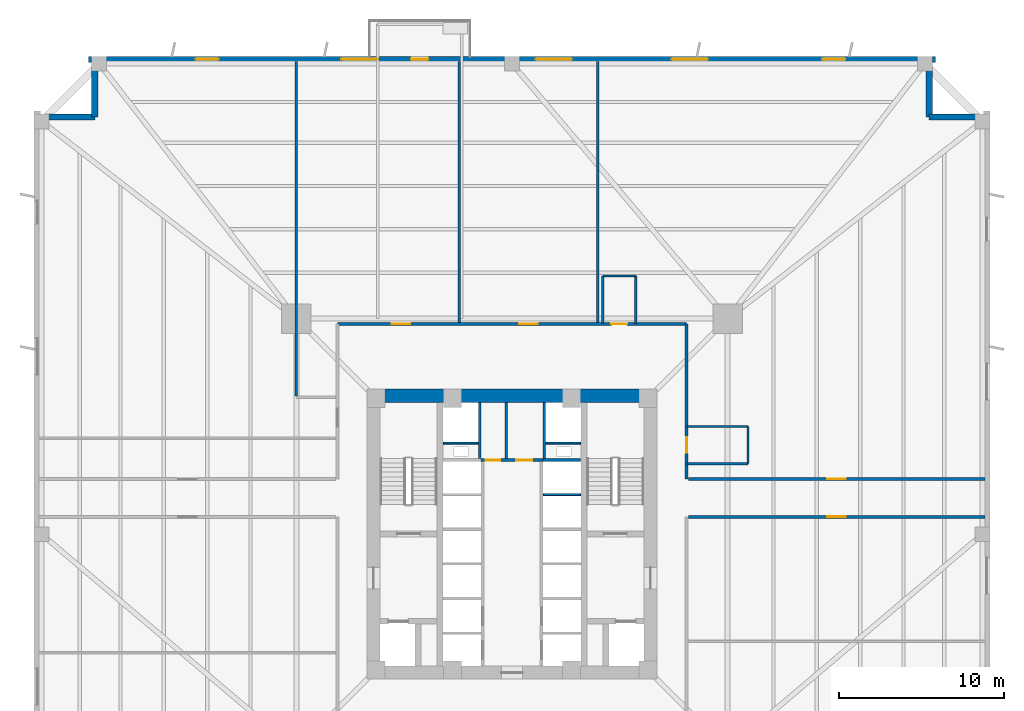
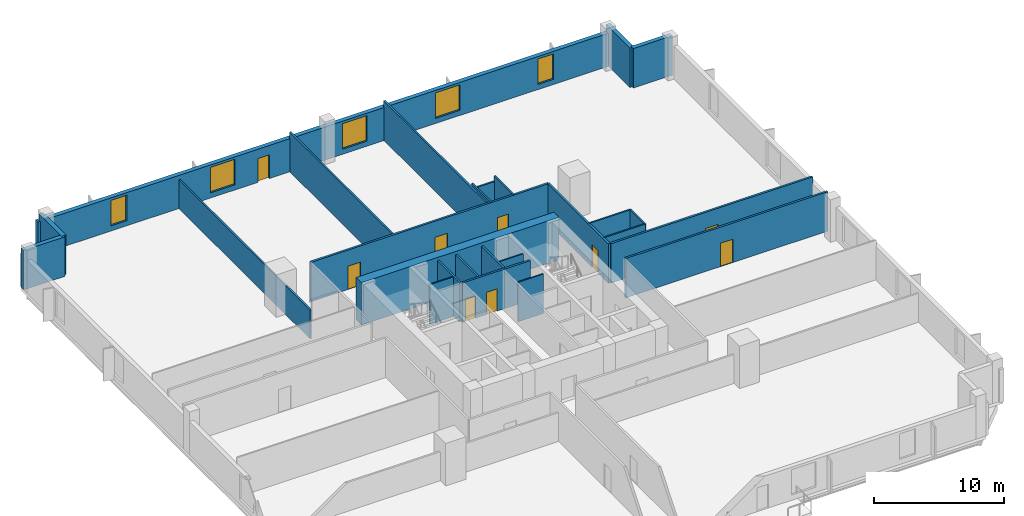
# One storey, part 4 of 8: 27 walls, 9 doors, 5 windows, 14 openings.
"""IFC4 building model written with IfcOpenShell, lengths in metres."""

from ifc_helpers import new_model, si_unit, direction, frame, frame_2d, origin, place, context, subcontext, project, spatial, rectangle, extrude, source, transform, mapped, material, layer, layer_set, type_object, element, fill, save


model = new_model("IFC4")

# Units and contexts
model_context = context("Model", 3, precision=1e-05, world=origin(), true_north=direction((0.0, 1.0)))
body_context = subcontext(model_context, "Body", "Model", "MODEL_VIEW")
ifc_project = project(units=[si_unit("LENGTHUNIT", "METRE"), si_unit("AREAUNIT", "SQUARE_METRE"), si_unit("VOLUMEUNIT", "CUBIC_METRE"), si_unit("PLANEANGLEUNIT", "RADIAN"), si_unit("MASSUNIT", "GRAM", prefix="KILO"), si_unit("THERMODYNAMICTEMPERATUREUNIT", "KELVIN")], contexts=[model_context])

# Site, building, storey
site_placement = place(None, origin())
site = spatial("IfcSite", under=ifc_project, at=site_placement, CompositionType="ELEMENT")
building_placement = place(site_placement, origin())
building = spatial("IfcBuilding", under=site, at=building_placement, Name="Kosmvard Interchange Tower", CompositionType="ELEMENT")
storey_placement = place(building_placement, frame((0.0, 0.0, 62.0)))
storey = spatial("IfcBuildingStorey", under=building, at=storey_placement, Name="L14", CompositionType="ELEMENT", Elevation=62.0)

# Walls
ifc_material_1 = material(Name="Acoustic gypsum partition system")
ifc_layer_1 = layer(ifc_material_1, 0.14990234375, Name="Acoustic gypsum partition system")
ifc_layer_set_1 = layer_set([ifc_layer_1], Name="Acoustic gypsum partition system")
wall_type_1 = type_object("IfcWallType", Name="Acoustic Suite & Meeting Partition 150", PredefinedType="PARTITIONING", material=ifc_layer_set_1)
wall_1_placement = place(storey_placement, frame((-13.0810546875, 8.375, 0.0), z_axis=(0.0, 0.0, 1.0), x_axis=(0.0, 1.0, 0.0)))
element("IfcWall", 1, at=wall_1_placement, inside=storey, type_object=wall_type_1, Name="L14 Room Partition 02.1", PredefinedType="PARTITIONING", context=body_context, shape_type="SweptSolid", body=[
    extrude(rectangle(XDim=20.31005859375, YDim=0.14990234375, at=frame_2d((10.155029296875, 0.0))), origin(), (0.0, 0.0, 1.0), 2.7119140625),
])
for number, where, z_axis, x_axis, name in (
    (2, (-3.199951171875, 12.844970703125, 0.0), (0.0, 0.0, 1.0), (0.0, 1.0, 0.0), "L14 Room Partition 03.1"),
    (3, (5.199951171875, 12.844970703125, 0.0), (0.0, 0.0, 1.0), (0.0, 1.0, 0.0), "L14 Room Partition 04.1"),
):
    element("IfcWall", number, at=place(storey_placement, frame(where, z_axis=z_axis, x_axis=x_axis)), inside=storey, type_object=wall_type_1, Name=name, PredefinedType="PARTITIONING", context=body_context, shape_type="SweptSolid", body=[
        extrude(rectangle(XDim=15.840087890625, YDim=0.14990234375, at=frame_2d((7.919921875, 0.0))), origin(), (0.0, 0.0, 1.0), 3.719970703125),
    ])
ifc_material_2 = material(Name="Fire-rated gypsum partition system")
ifc_layer_2 = layer(ifc_material_2, 0.159912109375, Name="Fire-rated gypsum partition system")
ifc_layer_set_2 = layer_set([ifc_layer_2], Name="Fire-rated gypsum partition system")
wall_type_2 = type_object("IfcWallType", Name="Core Compartment & Shuttle Lobby Partition 160", PredefinedType="PARTITIONING", material=ifc_layer_set_2)
for number, where, z_axis, x_axis, name in (
    (4, (-1.9599609375, 4.580078125, 0.0), (0.0, 0.0, 1.0), (0.0, 1.0, 0.0), "L14 North Core West Wall"),
    (5, (1.9599609375, 4.580078125, 0.0), (0.0, 0.0, 1.0), (0.0, 1.0, 0.0), "L14 North Core East Wall"),
):
    element("IfcWall", number, at=place(storey_placement, frame(where, z_axis=z_axis, x_axis=x_axis)), inside=storey, type_object=wall_type_2, Name=name, PredefinedType="PARTITIONING", context=body_context, shape_type="SweptSolid", body=[
        extrude(rectangle(XDim=3.39990234375, YDim=0.159912109375, at=frame_2d((1.699951171875, 0.0))), origin(), (0.0, 0.0, 1.0), 3.719970703125),
    ])
ifc_material_3 = material(Name="Concrete blockwork masonry", Category="masonry")
ifc_layer_3 = layer(ifc_material_3, 0.159912109375, Name="Concrete blockwork masonry")
ifc_layer_set_3 = layer_set([ifc_layer_3], Name="Concrete blockwork masonry")
wall_type_3 = type_object("IfcWallType", Name="Core Enclosure Split Wall 160", PredefinedType="PARTITIONING", material=ifc_layer_set_3)
wall_2_placement = place(storey_placement, frame((-0.35009765625, 4.60009765625, 0.0), z_axis=(0.0, 0.0, 1.0), x_axis=(0.0, 1.0, 0.0)))
element("IfcWall", 6, at=wall_2_placement, inside=storey, type_object=wall_type_3, Name="L14 Core K2 Split Wall", PredefinedType="PARTITIONING", context=body_context, shape_type="SweptSolid", body=[
    extrude(rectangle(XDim=3.3798828125, YDim=0.159912109375, at=frame_2d((1.68994140625, 0.0))), origin(), (0.0, 0.0, 1.0), 3.719970703125),
])

# Wall, openings, doors
ifc_layer_4 = layer(ifc_material_2, 0.179931640625, Name="Fire-rated gypsum partition system")
ifc_layer_set_4 = layer_set([ifc_layer_4], Name="Fire-rated gypsum partition system")
wall_type_4 = type_object("IfcWallType", Name="Corridor & Hotel Compartment Partition 180", PredefinedType="PARTITIONING", material=ifc_layer_set_4)
wall_3_placement = place(storey_placement, frame((-1.8798828125, 4.489990234375, 0.0), z_axis=(0.0, 0.0, 1.0), x_axis=(1.0, 0.0, 0.0)))
wall_3 = element("IfcWall", 7, at=wall_3_placement, inside=storey, type_object=wall_type_4, Name="L14 Lift Lobby North Partition", PredefinedType="PARTITIONING", context=body_context, shape_type="SweptSolid", body=[
    extrude(rectangle(XDim=3.759765625, YDim=0.179931640625, at=frame_2d((1.8798828125, 0.0))), origin(), (0.0, 0.0, 1.0), 3.719970703125),
])
opening_1_placement = place(wall_3_placement, frame((0.280029296875, 0.0, 0.0)))
opening_1 = element("IfcOpeningElement", 8, at=opening_1_placement, cuts=wall_3, Name="Opening L14-KD1", PredefinedType="OPENING", context=body_context, shape_type="SweptSolid", body=[
    extrude(rectangle(XDim=0.8798828125, YDim=2.10009765625, at=frame_2d((0.43994140625, 1.050048828125))), frame((0.0, 0.10009765625, 0.0), z_axis=(0.0, -1.0, 0.0), x_axis=(1.0, 0.0, 0.0)), (0.0, 0.0, 1.0), 0.199951171875),
])
opening_2_placement = place(wall_3_placement, frame((2.14990234375, 0.0, 0.0)))
opening_2 = element("IfcOpeningElement", 9, at=opening_2_placement, cuts=wall_3, Name="Opening L14-KD2", PredefinedType="OPENING", context=body_context, shape_type="SweptSolid", body=[
    extrude(rectangle(XDim=0.949951171875, YDim=2.10009765625, at=frame_2d((0.47509765625, 1.050048828125))), frame((0.0, 0.10009765625, 0.0), z_axis=(0.0, -1.0, 0.0), x_axis=(1.0, 0.0, 0.0)), (0.0, 0.0, 1.0), 0.199951171875),
])
ifc_material_4 = material(Name="Painted fire-rated timber leaf", Category="wood")
door_type_1 = type_object("IfcDoorType", Name="Core Service Fire Door 950x2100 EI30", OperationType="NOTDEFINED", PredefinedType="DOOR", material=ifc_material_4)
shared_shape_1 = source(origin(), body_context, "Body", "SweptSolid", [
    extrude(rectangle(XDim=0.949951171875, YDim=2.10009765625, at=frame_2d((0.47509765625, 1.050048828125))), frame((0.0, 0.02490234375, 0.0), z_axis=(0.0, -1.0, 0.0), x_axis=(1.0, 0.0, 0.0)), (0.0, 0.0, 1.0), 0.050048828125),
])
door_1_placement = place(opening_2_placement, origin())
door_1 = element("IfcDoor", 10, at=door_1_placement, inside=storey, type_object=door_type_1, Name="L14 Core Tea Pantry Door", OperationType="SINGLE_SWING_RIGHT", OverallHeight=2.10009765625, OverallWidth=0.949951171875, PredefinedType="DOOR", context=body_context, shape_type="MappedRepresentation", body=[
    mapped(shared_shape_1, transform((0.0, 0.0, 0.0), scale=1.0)),
])
fill(opening_2, door_1)
door_type_2 = type_object("IfcDoorType", Name="Core Cupboard Fire Door 880x2100 EI30", OperationType="NOTDEFINED", PredefinedType="DOOR", material=ifc_material_4)
shared_shape_2 = source(origin(), body_context, "Body", "SweptSolid", [
    extrude(rectangle(XDim=0.8798828125, YDim=2.10009765625, at=frame_2d((0.43994140625, 1.050048828125))), frame((0.0, 0.02490234375, 0.0), z_axis=(0.0, -1.0, 0.0), x_axis=(1.0, 0.0, 0.0)), (0.0, 0.0, 1.0), 0.050048828125),
])
door_2_placement = place(opening_1_placement, origin())
door_2 = element("IfcDoor", 11, at=door_2_placement, inside=storey, type_object=door_type_2, Name="L14 Core Cleaner Cupboard Door", OperationType="SINGLE_SWING_LEFT", OverallHeight=2.10009765625, OverallWidth=0.8798828125, PredefinedType="DOOR", context=body_context, shape_type="MappedRepresentation", body=[
    mapped(shared_shape_2, transform((0.0, 0.0, 0.0), scale=1.0)),
])
fill(opening_1, door_2)

wall_4_placement = place(storey_placement, frame((-10.60009765625, 12.75, 0.0), z_axis=(0.0, 0.0, 1.0), x_axis=(1.0, 0.0, 0.0)))
wall_4 = element("IfcWall", 12, at=wall_4_placement, inside=storey, type_object=wall_type_4, Name="L14 Corridor Wall CN", PredefinedType="PARTITIONING", context=body_context, shape_type="SweptSolid", body=[
    extrude(rectangle(XDim=21.2001953125, YDim=0.179931640625, at=frame_2d((10.60009765625, 0.0))), origin(), (0.0, 0.0, 1.0), 3.719970703125),
])
opening_3_placement = place(wall_4_placement, frame((16.635986328125, 0.0, 0.0)))
opening_3 = element("IfcOpeningElement", 13, at=opening_3_placement, cuts=wall_4, Name="Opening L14-D01", PredefinedType="OPENING", context=body_context, shape_type="SweptSolid", body=[
    extrude(rectangle(XDim=0.949951171875, YDim=2.10009765625, at=frame_2d((0.47509765625, 1.050048828125))), frame((0.0, 0.10009765625, 0.0), z_axis=(0.0, -1.0, 0.0), x_axis=(1.0, 0.0, 0.0)), (0.0, 0.0, 1.0), 0.199951171875),
])
opening_4_placement = place(wall_4_placement, frame((3.314453125, 0.0, 0.0)))
opening_4 = element("IfcOpeningElement", 14, at=opening_4_placement, cuts=wall_4, Name="Opening L14-D05", PredefinedType="OPENING", context=body_context, shape_type="SweptSolid", body=[
    extrude(rectangle(XDim=1.10009765625, YDim=2.199951171875, at=frame_2d((0.550048828125, 1.10009765625))), frame((0.0, 0.10009765625, 0.0), z_axis=(0.0, -1.0, 0.0), x_axis=(1.0, 0.0, 0.0)), (0.0, 0.0, 1.0), 0.199951171875),
])
opening_5_placement = place(wall_4_placement, frame((11.050048828125, 0.0, 0.0)))
opening_5 = element("IfcOpeningElement", 15, at=opening_5_placement, cuts=wall_4, Name="Opening L14-D06", PredefinedType="OPENING", context=body_context, shape_type="SweptSolid", body=[
    extrude(rectangle(XDim=1.10009765625, YDim=2.199951171875, at=frame_2d((0.550048828125, 1.10009765625))), frame((0.0, 0.10009765625, 0.0), z_axis=(0.0, -1.0, 0.0), x_axis=(1.0, 0.0, 0.0)), (0.0, 0.0, 1.0), 0.199951171875),
])
ifc_material_5 = material(Name="Laminated moisture-resistant timber", Category="wood")
door_type_3 = type_object("IfcDoorType", Name="Accessible Washroom Door 950x2100", OperationType="NOTDEFINED", PredefinedType="DOOR", material=ifc_material_5)
door_3_placement = place(opening_3_placement, origin())
door_3 = element("IfcDoor", 16, at=door_3_placement, inside=storey, type_object=door_type_3, Name="L14 Accessible Toilet Door", OperationType="SINGLE_SWING_LEFT", OverallHeight=2.10009765625, OverallWidth=0.949951171875, PredefinedType="DOOR", context=body_context, shape_type="MappedRepresentation", body=[
    mapped(shared_shape_1, transform((0.0, 0.0, 0.0), scale=1.0)),
])
fill(opening_3, door_3)
ifc_material_6 = material(Name="Engineered oak fire-rated timber", Category="wood")
door_type_4 = type_object("IfcDoorType", Name="Office Suite Entrance Door 1100x2200 FD30S", OperationType="NOTDEFINED", PredefinedType="DOOR", material=ifc_material_6)
shared_shape_3 = source(origin(), body_context, "Body", "SweptSolid", [
    extrude(rectangle(XDim=1.10009765625, YDim=2.199951171875, at=frame_2d((0.550048828125, 1.10009765625))), frame((0.0, 0.02490234375, 0.0), z_axis=(0.0, -1.0, 0.0), x_axis=(1.0, 0.0, 0.0)), (0.0, 0.0, 1.0), 0.050048828125),
])
door_4_placement = place(opening_4_placement, origin())
door_4 = element("IfcDoor", 17, at=door_4_placement, inside=storey, type_object=door_type_4, Name="L14 Executive Reading Study Door", OperationType="SINGLE_SWING_LEFT", OverallHeight=2.199951171875, OverallWidth=1.10009765625, PredefinedType="DOOR", context=body_context, shape_type="MappedRepresentation", body=[
    mapped(shared_shape_3, transform((0.0, 0.0, 0.0), scale=1.0)),
])
fill(opening_4, door_4)
door_5_placement = place(opening_5_placement, origin())
door_5 = element("IfcDoor", 18, at=door_5_placement, inside=storey, type_object=door_type_4, Name="L14 Tenant Club Lounge Door", OperationType="SINGLE_SWING_RIGHT", OverallHeight=2.199951171875, OverallWidth=1.10009765625, PredefinedType="DOOR", context=body_context, shape_type="MappedRepresentation", body=[
    mapped(shared_shape_3, transform((0.0, 0.0, 0.0), scale=1.0)),
])
fill(opening_5, door_5)

# Wall, opening, door
wall_5_placement = place(storey_placement, frame((10.60009765625, 3.35009765625, 0.0), z_axis=(0.0, 0.0, 1.0), x_axis=(0.0, 1.0, 0.0)))
wall_5 = element("IfcWall", 19, at=wall_5_placement, inside=storey, type_object=wall_type_4, Name="L14 Corridor Wall CEN", PredefinedType="PARTITIONING", context=body_context, shape_type="SweptSolid", body=[
    extrude(rectangle(XDim=9.39990234375, YDim=0.179931640625, at=frame_2d((4.699951171875, 0.0))), origin(), (0.0, 0.0, 1.0), 3.719970703125),
])
opening_6_placement = place(wall_5_placement, frame((1.580078125, 0.0, 0.0)))
opening_6 = element("IfcOpeningElement", 20, at=opening_6_placement, cuts=wall_5, Name="Opening L14-D02", PredefinedType="OPENING", context=body_context, shape_type="SweptSolid", body=[
    extrude(rectangle(XDim=0.949951171875, YDim=2.10009765625, at=frame_2d((0.47509765625, 1.050048828125))), frame((0.0, 0.10009765625, 0.0), z_axis=(0.0, -1.0, 0.0), x_axis=(1.0, 0.0, 0.0)), (0.0, 0.0, 1.0), 0.199951171875),
])
door_6_placement = place(opening_6_placement, frame((0.949951171875, 0.0, 0.0), z_axis=(0.0, 0.0, 1.0), x_axis=(-1.0, 0.0, 0.0)))
door_6 = element("IfcDoor", 21, at=door_6_placement, inside=storey, type_object=door_type_3, Name="L14 Public Floor Washroom Door", OperationType="SINGLE_SWING_RIGHT", OverallHeight=2.10009765625, OverallWidth=0.949951171875, PredefinedType="DOOR", context=body_context, shape_type="MappedRepresentation", body=[
    mapped(shared_shape_1, transform((0.0, 0.0, 0.0), scale=1.0)),
])
fill(opening_6, door_6)

wall_6_placement = place(storey_placement, frame((10.699951171875, 1.050048828125, 0.0), z_axis=(0.0, 0.0, 1.0), x_axis=(1.0, 0.0, 0.0)))
wall_6 = element("IfcWall", 22, at=wall_6_placement, inside=storey, type_object=wall_type_4, Name="L14 Corridor Wall SES", PredefinedType="PARTITIONING", context=body_context, shape_type="SweptSolid", body=[
    extrude(rectangle(XDim=17.985107421875, YDim=0.179931640625, at=frame_2d((8.99267578125, 0.0))), origin(), (0.0, 0.0, 1.0), 3.719970703125),
])
opening_7_placement = place(wall_6_placement, frame((8.4423828125, 0.0, 0.0)))
opening_7 = element("IfcOpeningElement", 23, at=opening_7_placement, cuts=wall_6, Name="Opening L14-D08", PredefinedType="OPENING", context=body_context, shape_type="SweptSolid", body=[
    extrude(rectangle(XDim=1.10009765625, YDim=2.199951171875, at=frame_2d((0.550048828125, 1.10009765625))), frame((0.0, 0.10009765625, 0.0), z_axis=(0.0, -1.0, 0.0), x_axis=(1.0, 0.0, 0.0)), (0.0, 0.0, 1.0), 0.199951171875),
])
door_7_placement = place(opening_7_placement, frame((1.10009765625, 0.0, 0.0), z_axis=(0.0, 0.0, 1.0), x_axis=(-1.0, 0.0, 0.0)))
door_7 = element("IfcDoor", 24, at=door_7_placement, inside=storey, type_object=door_type_4, Name="L14 East Partner Office 1 Door", OperationType="SINGLE_SWING_RIGHT", OverallHeight=2.199951171875, OverallWidth=1.10009765625, PredefinedType="DOOR", context=body_context, shape_type="MappedRepresentation", body=[
    mapped(shared_shape_3, transform((0.0, 0.0, 0.0), scale=1.0)),
])
fill(opening_7, door_7)

wall_7_placement = place(storey_placement, frame((10.699951171875, 3.35009765625, 0.0), z_axis=(0.0, 0.0, 1.0), x_axis=(1.0, 0.0, 0.0)))
wall_7 = element("IfcWall", 25, at=wall_7_placement, inside=storey, type_object=wall_type_4, Name="L14 Corridor Wall SEN", PredefinedType="PARTITIONING", context=body_context, shape_type="SweptSolid", body=[
    extrude(rectangle(XDim=17.985107421875, YDim=0.179931640625, at=frame_2d((8.99267578125, 0.0))), origin(), (0.0, 0.0, 1.0), 3.719970703125),
])
opening_8_placement = place(wall_7_placement, frame((8.4423828125, 0.0, 0.0)))
opening_8 = element("IfcOpeningElement", 26, at=opening_8_placement, cuts=wall_7, Name="Opening L14-D07", PredefinedType="OPENING", context=body_context, shape_type="SweptSolid", body=[
    extrude(rectangle(XDim=1.10009765625, YDim=2.199951171875, at=frame_2d((0.550048828125, 1.10009765625))), frame((0.0, 0.10009765625, 0.0), z_axis=(0.0, -1.0, 0.0), x_axis=(1.0, 0.0, 0.0)), (0.0, 0.0, 1.0), 0.199951171875),
])
door_8_placement = place(opening_8_placement, origin())
door_8 = element("IfcDoor", 27, at=door_8_placement, inside=storey, type_object=door_type_4, Name="L14 North-East Open Workplace Door", OperationType="SINGLE_SWING_LEFT", OverallHeight=2.199951171875, OverallWidth=1.10009765625, PredefinedType="DOOR", context=body_context, shape_type="MappedRepresentation", body=[
    mapped(shared_shape_3, transform((0.0, 0.0, 0.0), scale=1.0)),
])
fill(opening_8, door_8)

# Walls
ifc_material_7 = material(Name="Concrete C80/95", Category="concrete")
ifc_layer_5 = layer(ifc_material_7, 0.800048828125, Name="Concrete C80/95")
ifc_layer_set_5 = layer_set([ifc_layer_5], Name="Concrete C80/95")
wall_type_5 = type_object("IfcWallType", Name="Lower Core Shear Wall 800 C80/95", PredefinedType="SHEAR", material=ifc_layer_set_5)
wall_8_placement = place(storey_placement, frame((-8.800048828125, 8.39990234375, 0.0), z_axis=(0.0, 0.0, 1.0), x_axis=(1.0, 0.0, 0.0)))
element("IfcWall", 28, at=wall_8_placement, inside=storey, type_object=wall_type_5, Name="L14 Core Shear Wall CW-N", PredefinedType="SHEAR", context=body_context, shape_type="SweptSolid", body=[
    extrude(rectangle(XDim=17.60009765625, YDim=0.800048828125, at=frame_2d((8.800048828125, 0.0))), origin(), (0.0, 0.0, 1.0), 4.0),
])
ifc_material_8 = material(Name="Precast concrete C45/55", Category="concrete")
ifc_layer_6 = layer(ifc_material_8, 0.3798828125, Name="Precast concrete C45/55")
ifc_layer_set_6 = layer_set([ifc_layer_6], Name="Precast concrete C45/55")
wall_type_6 = type_object("IfcWallType", Name="Lower Tower Precast Pier Wall 380 C45/55", PredefinedType="STANDARD", material=ifc_layer_set_6)
wall_9_placement = place(storey_placement, frame((28.81005859375, 25.31005859375, 0.0), z_axis=(0.0, 0.0, 1.0), x_axis=(-1.0, 0.0, 0.0)))
element("IfcWall", 29, at=wall_9_placement, inside=storey, type_object=wall_type_6, Name="L14 Precast Facade Wall N-NE1", PredefinedType="STANDARD", context=body_context, shape_type="SweptSolid", body=[
    extrude(rectangle(XDim=3.5, YDim=0.3798828125, at=frame_2d((1.75, 0.0))), origin(), (0.0, 0.0, 1.0), 3.719970703125),
])
wall_10_placement = place(storey_placement, frame((25.31005859375, 25.31005859375, 0.0), z_axis=(0.0, 0.0, 1.0), x_axis=(0.0, 1.0, 0.0)))
element("IfcWall", 30, at=wall_10_placement, inside=storey, type_object=wall_type_6, Name="L14 Precast Facade Wall N-NE2", PredefinedType="STANDARD", context=body_context, shape_type="SweptSolid", body=[
    extrude(rectangle(XDim=3.68994140625, YDim=0.3798828125, at=frame_2d((1.844970703125, 0.0))), origin(), (0.0, 0.0, 1.0), 3.719970703125),
])

# Wall, openings, door, windows
wall_11_placement = place(storey_placement, frame((25.68994140625, 28.81005859375, 0.0), z_axis=(0.0, 0.0, 1.0), x_axis=(-1.0, 0.0, 0.0)))
wall_11 = element("IfcWall", 31, at=wall_11_placement, inside=storey, type_object=wall_type_6, Name="L14 Precast Facade Wall F-N", PredefinedType="STANDARD", context=body_context, shape_type="SweptSolid", body=[
    extrude(rectangle(XDim=51.3798828125, YDim=0.3798828125, at=frame_2d((25.68994140625, 0.0))), origin(), (0.0, 0.0, 1.0), 3.1201171875),
])
opening_9_placement = place(wall_11_placement, frame((30.764892578125, 0.0, 0.0)))
opening_9 = element("IfcOpeningElement", 32, at=opening_9_placement, cuts=wall_11, Name="Opening L14-BDE", PredefinedType="OPENING", context=body_context, shape_type="SweptSolid", body=[
    extrude(rectangle(XDim=1.050048828125, YDim=2.25, at=frame_2d((0.52490234375, 1.125))), frame((0.0, 0.199951171875, 0.0), z_axis=(0.0, -1.0, 0.0), x_axis=(1.0, 0.0, 0.0)), (0.0, 0.0, 1.0), 0.39990234375),
])
opening_10_placement = place(wall_11_placement, frame((5.465576171875, 0.0, 0.489990234375)))
opening_10 = element("IfcOpeningElement", 33, at=opening_10_placement, cuts=wall_11, Name="Opening L14-W10", PredefinedType="OPENING", context=body_context, shape_type="SweptSolid", body=[
    extrude(rectangle(XDim=1.39990234375, YDim=2.39990234375, at=frame_2d((0.699951171875, 1.199951171875))), frame((0.0, 0.199951171875, 0.0), z_axis=(0.0, -1.0, 0.0), x_axis=(1.0, 0.0, 0.0)), (0.0, 0.0, 1.0), 0.39990234375),
])
opening_11_placement = place(wall_11_placement, frame((13.80029296875, 0.0, 0.489990234375)))
opening_11 = element("IfcOpeningElement", 34, at=opening_11_placement, cuts=wall_11, Name="Opening L14-W11", PredefinedType="OPENING", context=body_context, shape_type="SweptSolid", body=[
    extrude(rectangle(XDim=2.199951171875, YDim=2.39990234375, at=frame_2d((1.10009765625, 1.199951171875))), frame((0.0, 0.199951171875, 0.0), z_axis=(0.0, -1.0, 0.0), x_axis=(1.0, 0.0, 0.0)), (0.0, 0.0, 1.0), 0.39990234375),
])
opening_12_placement = place(wall_11_placement, frame((22.0625, 0.0, 0.489990234375)))
opening_12 = element("IfcOpeningElement", 35, at=opening_12_placement, cuts=wall_11, Name="Opening L14-W12", PredefinedType="OPENING", context=body_context, shape_type="SweptSolid", body=[
    extrude(rectangle(XDim=2.199951171875, YDim=2.39990234375, at=frame_2d((1.10009765625, 1.199951171875))), frame((0.0, 0.199951171875, 0.0), z_axis=(0.0, -1.0, 0.0), x_axis=(1.0, 0.0, 0.0)), (0.0, 0.0, 1.0), 0.39990234375),
])
opening_13_placement = place(wall_11_placement, frame((33.83837890625, 0.0, 0.489990234375)))
opening_13 = element("IfcOpeningElement", 36, at=opening_13_placement, cuts=wall_11, Name="Opening L14-W13", PredefinedType="OPENING", context=body_context, shape_type="SweptSolid", body=[
    extrude(rectangle(XDim=2.199951171875, YDim=2.39990234375, at=frame_2d((1.10009765625, 1.199951171875))), frame((0.0, 0.199951171875, 0.0), z_axis=(0.0, -1.0, 0.0), x_axis=(1.0, 0.0, 0.0)), (0.0, 0.0, 1.0), 0.39990234375),
])
opening_14_placement = place(wall_11_placement, frame((43.48681640625, 0.0, 0.489990234375)))
opening_14 = element("IfcOpeningElement", 37, at=opening_14_placement, cuts=wall_11, Name="Opening L14-W14", PredefinedType="OPENING", context=body_context, shape_type="SweptSolid", body=[
    extrude(rectangle(XDim=1.39990234375, YDim=2.39990234375, at=frame_2d((0.699951171875, 1.199951171875))), frame((0.0, 0.199951171875, 0.0), z_axis=(0.0, -1.0, 0.0), x_axis=(1.0, 0.0, 0.0)), (0.0, 0.0, 1.0), 0.39990234375),
])
ifc_material_9 = material(Name="Anodised aluminium and safety glass", Category="aluminium")
door_type_5 = type_object("IfcDoorType", Name="Tree-Balcony Glazed Door 1050x2250", OperationType="NOTDEFINED", PredefinedType="DOOR", material=ifc_material_9)
shared_shape_4 = source(origin(), body_context, "Body", "SweptSolid", [
    extrude(rectangle(XDim=1.050048828125, YDim=2.25, at=frame_2d((0.52490234375, 1.125))), frame((0.0, 0.02490234375, 0.0), z_axis=(0.0, -1.0, 0.0), x_axis=(1.0, 0.0, 0.0)), (0.0, 0.0, 1.0), 0.050048828125),
])
door_9_placement = place(opening_9_placement, origin())
door_9 = element("IfcDoor", 38, at=door_9_placement, inside=storey, type_object=door_type_5, Name="L14 Tree-Balcony Door BAL-L14-NE", OperationType="SINGLE_SWING_LEFT", OverallHeight=2.25, OverallWidth=1.050048828125, PredefinedType="DOOR", context=body_context, shape_type="MappedRepresentation", body=[
    mapped(shared_shape_4, transform((0.0, 0.0, 0.0), scale=1.0)),
])
fill(opening_9, door_9)
ifc_material_10 = material(Name="Low-E solar-control double glazing", Category="glass")
window_type_1 = type_object("IfcWindowType", Name="Notched Corner Feature Window 1400x2400", PartitioningType="SINGLE_PANEL", PredefinedType="WINDOW", material=ifc_material_10)
shared_shape_5 = source(origin(), body_context, "Body", "SweptSolid", [
    extrude(rectangle(XDim=1.39990234375, YDim=2.39990234375, at=frame_2d((0.699951171875, 1.199951171875))), frame((0.0, 0.030029296875, 0.0), z_axis=(0.0, -1.0, 0.0), x_axis=(1.0, 0.0, 0.0)), (0.0, 0.0, 1.0), 0.06005859375),
])
window_1_placement = place(opening_10_placement, origin())
window_1 = element("IfcWindow", 39, at=window_1_placement, inside=storey, type_object=window_type_1, Name="L14 Facade Punched Window 10", OverallHeight=2.39990234375, OverallWidth=1.39990234375, PartitioningType="SINGLE_PANEL", PredefinedType="WINDOW", context=body_context, shape_type="MappedRepresentation", body=[
    mapped(shared_shape_5, transform((0.0, 0.0, 0.0), scale=1.0)),
])
fill(opening_10, window_1)
window_2_placement = place(opening_14_placement, origin())
window_2 = element("IfcWindow", 40, at=window_2_placement, inside=storey, type_object=window_type_1, Name="L14 Facade Punched Window 14", OverallHeight=2.39990234375, OverallWidth=1.39990234375, PartitioningType="SINGLE_PANEL", PredefinedType="WINDOW", context=body_context, shape_type="MappedRepresentation", body=[
    mapped(shared_shape_5, transform((0.0, 0.0, 0.0), scale=1.0)),
])
fill(opening_14, window_2)
window_type_2 = type_object("IfcWindowType", Name="Zone 1 Office Punched Window 2200x2400", PartitioningType="SINGLE_PANEL", PredefinedType="WINDOW", material=ifc_material_10)
shared_shape_6 = source(origin(), body_context, "Body", "SweptSolid", [
    extrude(rectangle(XDim=2.199951171875, YDim=2.39990234375, at=frame_2d((1.10009765625, 1.199951171875))), frame((0.0, 0.030029296875, 0.0), z_axis=(0.0, -1.0, 0.0), x_axis=(1.0, 0.0, 0.0)), (0.0, 0.0, 1.0), 0.06005859375),
])
window_3_placement = place(opening_11_placement, origin())
window_3 = element("IfcWindow", 41, at=window_3_placement, inside=storey, type_object=window_type_2, Name="L14 Facade Punched Window 11", OverallHeight=2.39990234375, OverallWidth=2.199951171875, PartitioningType="SINGLE_PANEL", PredefinedType="WINDOW", context=body_context, shape_type="MappedRepresentation", body=[
    mapped(shared_shape_6, transform((0.0, 0.0, 0.0), scale=1.0)),
])
fill(opening_11, window_3)
window_4_placement = place(opening_12_placement, origin())
window_4 = element("IfcWindow", 42, at=window_4_placement, inside=storey, type_object=window_type_2, Name="L14 Facade Punched Window 12", OverallHeight=2.39990234375, OverallWidth=2.199951171875, PartitioningType="SINGLE_PANEL", PredefinedType="WINDOW", context=body_context, shape_type="MappedRepresentation", body=[
    mapped(shared_shape_6, transform((0.0, 0.0, 0.0), scale=1.0)),
])
fill(opening_12, window_4)
window_5_placement = place(opening_13_placement, origin())
window_5 = element("IfcWindow", 43, at=window_5_placement, inside=storey, type_object=window_type_2, Name="L14 Facade Punched Window 13", OverallHeight=2.39990234375, OverallWidth=2.199951171875, PartitioningType="SINGLE_PANEL", PredefinedType="WINDOW", context=body_context, shape_type="MappedRepresentation", body=[
    mapped(shared_shape_6, transform((0.0, 0.0, 0.0), scale=1.0)),
])
fill(opening_13, window_5)

# Walls
wall_12_placement = place(storey_placement, frame((-25.31005859375, 28.81005859375, 0.0), z_axis=(0.0, 0.0, 1.0), x_axis=(0.0, -1.0, 0.0)))
element("IfcWall", 44, at=wall_12_placement, inside=storey, type_object=wall_type_6, Name="L14 Precast Facade Wall N-NW1", PredefinedType="STANDARD", context=body_context, shape_type="SweptSolid", body=[
    extrude(rectangle(XDim=3.5, YDim=0.3798828125, at=frame_2d((1.75, 0.0))), origin(), (0.0, 0.0, 1.0), 3.719970703125),
])
wall_13_placement = place(storey_placement, frame((-25.31005859375, 25.31005859375, 0.0), z_axis=(0.0, 0.0, 1.0), x_axis=(-1.0, 0.0, 0.0)))
element("IfcWall", 45, at=wall_13_placement, inside=storey, type_object=wall_type_6, Name="L14 Precast Facade Wall N-NW2", PredefinedType="STANDARD", context=body_context, shape_type="SweptSolid", body=[
    extrude(rectangle(XDim=3.68994140625, YDim=0.3798828125, at=frame_2d((1.844970703125, 0.0))), origin(), (0.0, 0.0, 1.0), 3.719970703125),
])
ifc_layer_7 = layer(ifc_material_3, 0.179931640625, Name="Concrete blockwork masonry")
ifc_layer_set_7 = layer_set([ifc_layer_7], Name="Concrete blockwork masonry")
wall_type_7 = type_object("IfcWallType", Name="Riser & Lift Bank Divider Wall 180", PredefinedType="PARTITIONING", material=ifc_layer_set_7)
wall_14_placement = place(storey_placement, frame((1.889892578125, 4.489990234375, 0.0), z_axis=(0.0, 0.0, 1.0), x_axis=(1.0, 0.0, 0.0)))
element("IfcWall", 46, at=wall_14_placement, inside=storey, type_object=wall_type_7, Name="L14 East Bank Divider BD3", PredefinedType="PARTITIONING", context=body_context, shape_type="SweptSolid", body=[
    extrude(rectangle(XDim=2.280029296875, YDim=0.179931640625, at=frame_2d((1.14013671875, 0.0))), origin(), (0.0, 0.0, 1.0), 3.719970703125),
])
ifc_material_11 = material(Name="Fire-rated gypsum shaftwall system")
ifc_layer_8 = layer(ifc_material_11, 0.1201171875, Name="Fire-rated gypsum shaftwall system")
ifc_layer_set_8 = layer_set([ifc_layer_8], Name="Fire-rated gypsum shaftwall system")
wall_type_8 = type_object("IfcWallType", Name="Shaft & Riser Fire Partition 120 EI60", PredefinedType="PARTITIONING", material=ifc_layer_set_8)
wall_15_placement = place(storey_placement, frame((1.89990234375, 2.39990234375, 0.0), z_axis=(0.0, 0.0, 1.0), x_axis=(1.0, 0.0, 0.0)))
element("IfcWall", 47, at=wall_15_placement, inside=storey, type_object=wall_type_8, Name="L14 Shaft Divider PL-H3", PredefinedType="PARTITIONING", context=body_context, shape_type="SweptSolid", body=[
    extrude(rectangle(XDim=2.260009765625, YDim=0.1201171875, at=frame_2d((1.1298828125, 0.0))), origin(), (0.0, 0.0, 1.0), 3.719970703125),
])
for number, where, z_axis, x_axis, name in (
    (48, (-4.159912109375, 5.52001953125, 0.0), (0.0, 0.0, 1.0), (1.0, 0.0, 0.0), "L14 Riser Shaft Divider W"),
    (49, (2.06005859375, 5.52001953125, 0.0), (0.0, 0.0, 1.0), (1.0, 0.0, 0.0), "L14 Riser Shaft Divider E"),
):
    element("IfcWall", number, at=place(storey_placement, frame(where, z_axis=z_axis, x_axis=x_axis)), inside=storey, type_object=wall_type_8, Name=name, PredefinedType="PARTITIONING", context=body_context, shape_type="SweptSolid", body=[
        extrude(rectangle(XDim=2.099853515625, YDim=0.1201171875, at=frame_2d((1.0498046875, 0.0))), origin(), (0.0, 0.0, 1.0), 3.719970703125),
    ])
ifc_material_12 = material(Name="Moisture-resistant gypsum partition")
ifc_layer_9 = layer(ifc_material_12, 0.135009765625, Name="Moisture-resistant gypsum partition")
ifc_layer_set_9 = layer_set([ifc_layer_9], Name="Moisture-resistant gypsum partition")
wall_type_9 = type_object("IfcWallType", Name="Wet Room Moisture-Resistant Partition 135", PredefinedType="PARTITIONING", material=ifc_layer_set_9)
wall_16_placement = place(storey_placement, frame((7.510986328125, 12.77001953125, 0.0), z_axis=(0.0, 0.0, 1.0), x_axis=(0.0, 1.0, 0.0)))
element("IfcWall", 50, at=wall_16_placement, inside=storey, type_object=wall_type_9, Name="L14 Washroom Partition AWC1-E", PredefinedType="PARTITIONING", context=body_context, shape_type="SweptSolid", body=[
    extrude(rectangle(XDim=2.89990234375, YDim=0.135009765625, at=frame_2d((1.449951171875, 0.0))), origin(), (0.0, 0.0, 1.0), 3.719970703125),
])
wall_17_placement = place(storey_placement, frame((5.510986328125, 15.669921875, 0.0), z_axis=(0.0, 0.0, 1.0), x_axis=(1.0, 0.0, 0.0)))
element("IfcWall", 51, at=wall_17_placement, inside=storey, type_object=wall_type_9, Name="L14 Washroom Partition AWC1-N", PredefinedType="PARTITIONING", context=body_context, shape_type="SweptSolid", body=[
    extrude(rectangle(XDim=2.0, YDim=0.135009765625, at=frame_2d((1.0, 0.0))), origin(), (0.0, 0.0, 1.0), 3.219970703125),
])
wall_18_placement = place(storey_placement, frame((5.510986328125, 12.77001953125, 0.0), z_axis=(0.0, 0.0, 1.0), x_axis=(0.0, 1.0, 0.0)))
element("IfcWall", 52, at=wall_18_placement, inside=storey, type_object=wall_type_9, Name="L14 Washroom Partition AWC1-W", PredefinedType="PARTITIONING", context=body_context, shape_type="SweptSolid", body=[
    extrude(rectangle(XDim=2.89990234375, YDim=0.135009765625, at=frame_2d((1.449951171875, 0.0))), origin(), (0.0, 0.0, 1.0), 3.719970703125),
])
wall_19_placement = place(storey_placement, frame((10.6201171875, 4.280029296875, 0.0), z_axis=(0.0, 0.0, 1.0), x_axis=(1.0, 0.0, 0.0)))
element("IfcWall", 53, at=wall_19_placement, inside=storey, type_object=wall_type_9, Name="L14 Washroom Partition WC1-S", PredefinedType="PARTITIONING", context=body_context, shape_type="SweptSolid", body=[
    extrude(rectangle(XDim=3.699951171875, YDim=0.135009765625, at=frame_2d((1.85009765625, 0.0))), origin(), (0.0, 0.0, 1.0), 3.719970703125),
])
wall_20_placement = place(storey_placement, frame((14.320068359375, 4.280029296875, 0.0), z_axis=(0.0, 0.0, 1.0), x_axis=(0.0, 1.0, 0.0)))
element("IfcWall", 54, at=wall_20_placement, inside=storey, type_object=wall_type_9, Name="L14 Washroom Partition WC1-E", PredefinedType="PARTITIONING", context=body_context, shape_type="SweptSolid", body=[
    extrude(rectangle(XDim=2.25, YDim=0.135009765625, at=frame_2d((1.125, 0.0))), origin(), (0.0, 0.0, 1.0), 3.719970703125),
])
wall_21_placement = place(storey_placement, frame((10.6201171875, 6.530029296875, 0.0), z_axis=(0.0, 0.0, 1.0), x_axis=(1.0, 0.0, 0.0)))
element("IfcWall", 55, at=wall_21_placement, inside=storey, type_object=wall_type_9, Name="L14 Washroom Partition WC1-N", PredefinedType="PARTITIONING", context=body_context, shape_type="SweptSolid", body=[
    extrude(rectangle(XDim=3.699951171875, YDim=0.135009765625, at=frame_2d((1.85009765625, 0.0))), origin(), (0.0, 0.0, 1.0), 3.719970703125),
])

save(model, "model.ifc")
